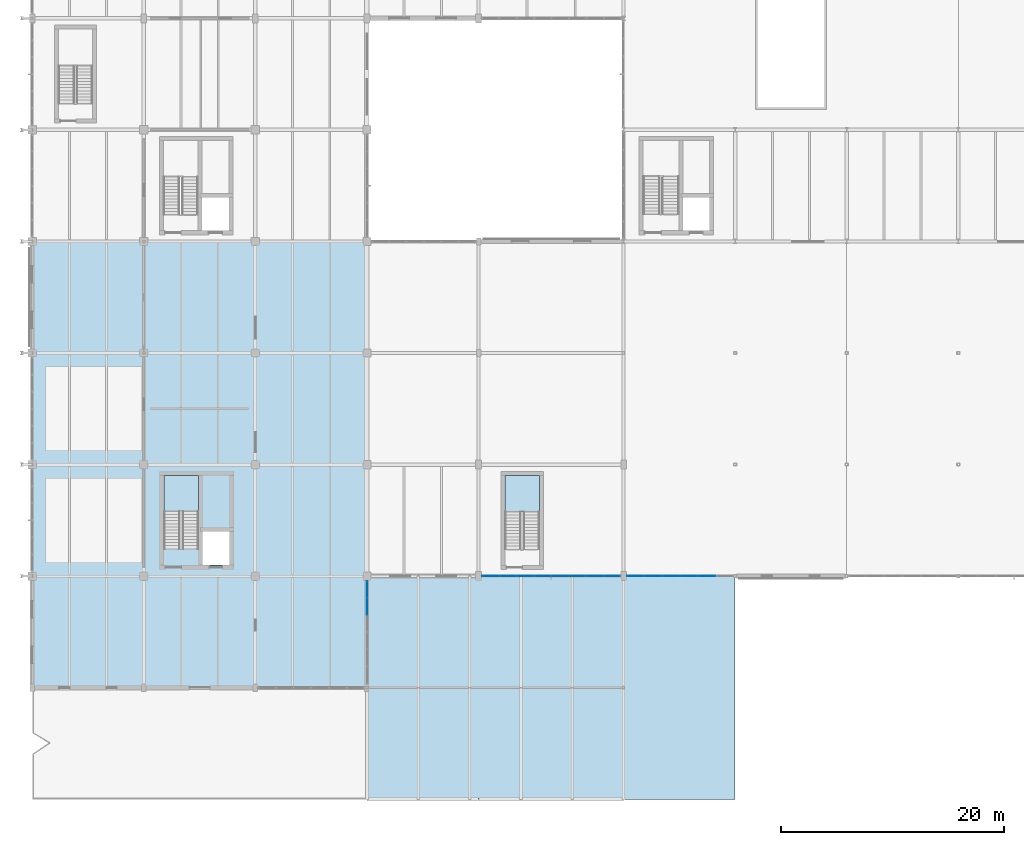
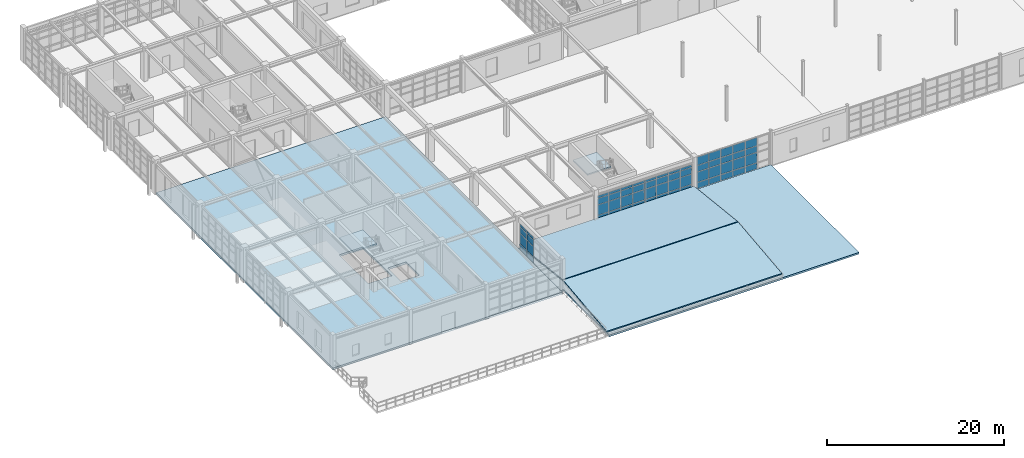
# One storey, part 83 of 139: 60 plates, 6 slabs, 5 elements without a shape of their own.
"""IFC4 building model written with IfcOpenShell, lengths in metres."""

from ifc_helpers import new_model, si_unit, direction, frame, origin, origin_2d, place, context, subcontext, project, spatial, polyline, rectangle, outline, extrude, material, layer, layer_set, type_object, element, aggregate, save


model = new_model("IFC4")

# Units and contexts
model_context = context("Model", 3, precision=1e-05, world=origin(), true_north=direction((0.0, 1.0)))
body_context = subcontext(model_context, "Body", "Model", "MODEL_VIEW")
ifc_project = project(units=[si_unit("LENGTHUNIT", "METRE"), si_unit("AREAUNIT", "SQUARE_METRE"), si_unit("VOLUMEUNIT", "CUBIC_METRE"), si_unit("PLANEANGLEUNIT", "RADIAN"), si_unit("MASSUNIT", "GRAM", prefix="KILO"), si_unit("THERMODYNAMICTEMPERATUREUNIT", "KELVIN"), si_unit("POWERUNIT", "WATT")], contexts=[model_context])

# Site, building, storey
site_placement = place(None, origin())
site = spatial("IfcSite", under=ifc_project, at=site_placement, CompositionType="ELEMENT")
building_placement = place(site_placement, origin())
building = spatial("IfcBuilding", under=site, at=building_placement, Name="Korenveer Ferry Terminal", CompositionType="ELEMENT")
storey_placement = place(building_placement, frame((0.0, 0.0, 5.39990234375)))
storey = spatial("IfcBuildingStorey", under=building, at=storey_placement, Name="L01", CompositionType="ELEMENT", Elevation=5.39990234375)

# Curtain wall, plates
ifc_material_1 = material(Name="Unitised bronze-and-glass curtain wall", Category="glass")
ifc_layer_1 = layer(ifc_material_1, 0.159912109375)
ifc_layer_set_1 = layer_set([ifc_layer_1], Name="Unitised bronze-and-glass curtain wall")
curtain_wall_type_1 = type_object("IfcCurtainWallType", Name="ENV-CW-38", PredefinedType="USERDEFINED", material=ifc_layer_set_1)
curtain_wall_1_placement = place(storey_placement, frame((40.280029296875, 20.0, 0.0)))
curtain_wall_1 = element("IfcCurtainWall", 1, at=curtain_wall_1_placement, inside=storey, type_object=curtain_wall_type_1, Name="Lancet curtain wall CWX-L01-X40-53-Y20-20", ObjectType="UNITISED CURTAIN WALL", PredefinedType="USERDEFINED")
ifc_material_2 = material(Name="Low-iron solar-control double glazing", Category="glass")
ifc_layer_2 = layer(ifc_material_2, 0.028076171875)
ifc_layer_set_2 = layer_set([ifc_layer_2], Name="Low-iron solar-control double glazing")
plate_type = type_object("IfcPlateType", Name="ENV-CWP-GLZ28", PredefinedType="CURTAIN_PANEL", material=ifc_layer_set_2)
plate_1_placement = place(storey_placement, frame((41.072509765625, 20.0, 0.06005859375), z_axis=(0.0, 0.0, 1.0), x_axis=(1.0, 0.0, 0.0)))
plate_1 = element("IfcPlate", 2, at=plate_1_placement, type_object=plate_type, Name="CW-38 panel 1.1", PredefinedType="CURTAIN_PANEL", context=body_context, shape_type="SweptSolid", body=[
    extrude(rectangle(XDim=1.465087890625, YDim=0.028076171875, at=origin_2d()), origin(), (0.0, 0.0, 1.0), 0.81005859375),
])
plate_2_placement = place(storey_placement, frame((41.072509765625, 20.0, 0.93017578125), z_axis=(0.0, 0.0, 1.0), x_axis=(1.0, 0.0, 0.0)))
plate_2 = element("IfcPlate", 3, at=plate_2_placement, type_object=plate_type, Name="CW-38 panel 1.2", PredefinedType="CURTAIN_PANEL", context=body_context, shape_type="SweptSolid", body=[
    extrude(rectangle(XDim=1.465087890625, YDim=0.028076171875, at=origin_2d()), origin(), (0.0, 0.0, 1.0), 1.389892578125),
])
plate_3_placement = place(storey_placement, frame((41.072509765625, 20.0, 2.3798828125), z_axis=(0.0, 0.0, 1.0), x_axis=(1.0, 0.0, 0.0)))
plate_3 = element("IfcPlate", 4, at=plate_3_placement, type_object=plate_type, Name="CW-38 panel 1.3", PredefinedType="CURTAIN_PANEL", context=body_context, shape_type="SweptSolid", body=[
    extrude(rectangle(XDim=1.465087890625, YDim=0.028076171875, at=origin_2d()), origin(), (0.0, 0.0, 1.0), 0.840087890625),
])
plate_4_placement = place(storey_placement, frame((41.072509765625, 20.0, 3.280029296875), z_axis=(0.0, 0.0, 1.0), x_axis=(1.0, 0.0, 0.0)))
plate_4 = element("IfcPlate", 5, at=plate_4_placement, type_object=plate_type, Name="CW-38 panel 1.4", PredefinedType="CURTAIN_PANEL", context=body_context, shape_type="SweptSolid", body=[
    extrude(rectangle(XDim=1.465087890625, YDim=0.028076171875, at=origin_2d()), origin(), (0.0, 0.0, 1.0), 0.330078125),
])
plate_5_placement = place(storey_placement, frame((42.612548828125, 20.0, 0.06005859375), z_axis=(0.0, 0.0, 1.0), x_axis=(1.0, 0.0, 0.0)))
plate_5 = element("IfcPlate", 6, at=plate_5_placement, type_object=plate_type, Name="CW-38 panel 2.1", PredefinedType="CURTAIN_PANEL", context=body_context, shape_type="SweptSolid", body=[
    extrude(rectangle(XDim=1.4951171875, YDim=0.028076171875, at=origin_2d()), origin(), (0.0, 0.0, 1.0), 0.81005859375),
])
plate_6_placement = place(storey_placement, frame((42.612548828125, 20.0, 0.93017578125), z_axis=(0.0, 0.0, 1.0), x_axis=(1.0, 0.0, 0.0)))
plate_6 = element("IfcPlate", 7, at=plate_6_placement, type_object=plate_type, Name="CW-38 panel 2.2", PredefinedType="CURTAIN_PANEL", context=body_context, shape_type="SweptSolid", body=[
    extrude(rectangle(XDim=1.4951171875, YDim=0.028076171875, at=origin_2d()), origin(), (0.0, 0.0, 1.0), 1.389892578125),
])
plate_7_placement = place(storey_placement, frame((42.612548828125, 20.0, 2.3798828125), z_axis=(0.0, 0.0, 1.0), x_axis=(1.0, 0.0, 0.0)))
plate_7 = element("IfcPlate", 8, at=plate_7_placement, type_object=plate_type, Name="CW-38 panel 2.3", PredefinedType="CURTAIN_PANEL", context=body_context, shape_type="SweptSolid", body=[
    extrude(rectangle(XDim=1.4951171875, YDim=0.028076171875, at=origin_2d()), origin(), (0.0, 0.0, 1.0), 0.840087890625),
])
plate_8_placement = place(storey_placement, frame((42.612548828125, 20.0, 3.280029296875), z_axis=(0.0, 0.0, 1.0), x_axis=(1.0, 0.0, 0.0)))
plate_8 = element("IfcPlate", 9, at=plate_8_placement, type_object=plate_type, Name="CW-38 panel 2.4", PredefinedType="CURTAIN_PANEL", context=body_context, shape_type="SweptSolid", body=[
    extrude(rectangle(XDim=1.4951171875, YDim=0.028076171875, at=origin_2d()), origin(), (0.0, 0.0, 1.0), 0.330078125),
])
plate_9_placement = place(storey_placement, frame((44.16748046875, 20.0, 0.06005859375), z_axis=(0.0, 0.0, 1.0), x_axis=(1.0, 0.0, 0.0)))
plate_9 = element("IfcPlate", 10, at=plate_9_placement, type_object=plate_type, Name="CW-38 panel 3.1", PredefinedType="CURTAIN_PANEL", context=body_context, shape_type="SweptSolid", body=[
    extrude(rectangle(XDim=1.4951171875, YDim=0.028076171875, at=origin_2d()), origin(), (0.0, 0.0, 1.0), 0.81005859375),
])
plate_10_placement = place(storey_placement, frame((44.16748046875, 20.0, 0.93017578125), z_axis=(0.0, 0.0, 1.0), x_axis=(1.0, 0.0, 0.0)))
plate_10 = element("IfcPlate", 11, at=plate_10_placement, type_object=plate_type, Name="CW-38 panel 3.2", PredefinedType="CURTAIN_PANEL", context=body_context, shape_type="SweptSolid", body=[
    extrude(rectangle(XDim=1.4951171875, YDim=0.028076171875, at=origin_2d()), origin(), (0.0, 0.0, 1.0), 1.389892578125),
])
plate_11_placement = place(storey_placement, frame((44.16748046875, 20.0, 2.3798828125), z_axis=(0.0, 0.0, 1.0), x_axis=(1.0, 0.0, 0.0)))
plate_11 = element("IfcPlate", 12, at=plate_11_placement, type_object=plate_type, Name="CW-38 panel 3.3", PredefinedType="CURTAIN_PANEL", context=body_context, shape_type="SweptSolid", body=[
    extrude(rectangle(XDim=1.4951171875, YDim=0.028076171875, at=origin_2d()), origin(), (0.0, 0.0, 1.0), 0.840087890625),
])
plate_12_placement = place(storey_placement, frame((44.16748046875, 20.0, 3.280029296875), z_axis=(0.0, 0.0, 1.0), x_axis=(1.0, 0.0, 0.0)))
plate_12 = element("IfcPlate", 13, at=plate_12_placement, type_object=plate_type, Name="CW-38 panel 3.4", PredefinedType="CURTAIN_PANEL", context=body_context, shape_type="SweptSolid", body=[
    extrude(rectangle(XDim=1.4951171875, YDim=0.028076171875, at=origin_2d()), origin(), (0.0, 0.0, 1.0), 0.330078125),
])
plate_13_placement = place(storey_placement, frame((45.722412109375, 20.0, 0.06005859375), z_axis=(0.0, 0.0, 1.0), x_axis=(1.0, 0.0, 0.0)))
plate_13 = element("IfcPlate", 14, at=plate_13_placement, type_object=plate_type, Name="CW-38 panel 4.1", PredefinedType="CURTAIN_PANEL", context=body_context, shape_type="SweptSolid", body=[
    extrude(rectangle(XDim=1.4951171875, YDim=0.028076171875, at=origin_2d()), origin(), (0.0, 0.0, 1.0), 0.81005859375),
])
plate_14_placement = place(storey_placement, frame((45.722412109375, 20.0, 0.93017578125), z_axis=(0.0, 0.0, 1.0), x_axis=(1.0, 0.0, 0.0)))
plate_14 = element("IfcPlate", 15, at=plate_14_placement, type_object=plate_type, Name="CW-38 panel 4.2", PredefinedType="CURTAIN_PANEL", context=body_context, shape_type="SweptSolid", body=[
    extrude(rectangle(XDim=1.4951171875, YDim=0.028076171875, at=origin_2d()), origin(), (0.0, 0.0, 1.0), 1.389892578125),
])
plate_15_placement = place(storey_placement, frame((45.722412109375, 20.0, 2.3798828125), z_axis=(0.0, 0.0, 1.0), x_axis=(1.0, 0.0, 0.0)))
plate_15 = element("IfcPlate", 16, at=plate_15_placement, type_object=plate_type, Name="CW-38 panel 4.3", PredefinedType="CURTAIN_PANEL", context=body_context, shape_type="SweptSolid", body=[
    extrude(rectangle(XDim=1.4951171875, YDim=0.028076171875, at=origin_2d()), origin(), (0.0, 0.0, 1.0), 0.840087890625),
])
plate_16_placement = place(storey_placement, frame((45.722412109375, 20.0, 3.280029296875), z_axis=(0.0, 0.0, 1.0), x_axis=(1.0, 0.0, 0.0)))
plate_16 = element("IfcPlate", 17, at=plate_16_placement, type_object=plate_type, Name="CW-38 panel 4.4", PredefinedType="CURTAIN_PANEL", context=body_context, shape_type="SweptSolid", body=[
    extrude(rectangle(XDim=1.4951171875, YDim=0.028076171875, at=origin_2d()), origin(), (0.0, 0.0, 1.0), 0.330078125),
])
plate_17_placement = place(storey_placement, frame((47.277587890625, 20.0, 0.06005859375), z_axis=(0.0, 0.0, 1.0), x_axis=(1.0, 0.0, 0.0)))
plate_17 = element("IfcPlate", 18, at=plate_17_placement, type_object=plate_type, Name="CW-38 panel 5.1", PredefinedType="CURTAIN_PANEL", context=body_context, shape_type="SweptSolid", body=[
    extrude(rectangle(XDim=1.4951171875, YDim=0.028076171875, at=origin_2d()), origin(), (0.0, 0.0, 1.0), 0.81005859375),
])
plate_18_placement = place(storey_placement, frame((47.277587890625, 20.0, 0.93017578125), z_axis=(0.0, 0.0, 1.0), x_axis=(1.0, 0.0, 0.0)))
plate_18 = element("IfcPlate", 19, at=plate_18_placement, type_object=plate_type, Name="CW-38 panel 5.2", PredefinedType="CURTAIN_PANEL", context=body_context, shape_type="SweptSolid", body=[
    extrude(rectangle(XDim=1.4951171875, YDim=0.028076171875, at=origin_2d()), origin(), (0.0, 0.0, 1.0), 1.389892578125),
])
plate_19_placement = place(storey_placement, frame((47.277587890625, 20.0, 2.3798828125), z_axis=(0.0, 0.0, 1.0), x_axis=(1.0, 0.0, 0.0)))
plate_19 = element("IfcPlate", 20, at=plate_19_placement, type_object=plate_type, Name="CW-38 panel 5.3", PredefinedType="CURTAIN_PANEL", context=body_context, shape_type="SweptSolid", body=[
    extrude(rectangle(XDim=1.4951171875, YDim=0.028076171875, at=origin_2d()), origin(), (0.0, 0.0, 1.0), 0.840087890625),
])
plate_20_placement = place(storey_placement, frame((47.277587890625, 20.0, 3.280029296875), z_axis=(0.0, 0.0, 1.0), x_axis=(1.0, 0.0, 0.0)))
plate_20 = element("IfcPlate", 21, at=plate_20_placement, type_object=plate_type, Name="CW-38 panel 5.4", PredefinedType="CURTAIN_PANEL", context=body_context, shape_type="SweptSolid", body=[
    extrude(rectangle(XDim=1.4951171875, YDim=0.028076171875, at=origin_2d()), origin(), (0.0, 0.0, 1.0), 0.330078125),
])
plate_21_placement = place(storey_placement, frame((48.83251953125, 20.0, 0.06005859375), z_axis=(0.0, 0.0, 1.0), x_axis=(1.0, 0.0, 0.0)))
plate_21 = element("IfcPlate", 22, at=plate_21_placement, type_object=plate_type, Name="CW-38 panel 6.1", PredefinedType="CURTAIN_PANEL", context=body_context, shape_type="SweptSolid", body=[
    extrude(rectangle(XDim=1.4951171875, YDim=0.028076171875, at=origin_2d()), origin(), (0.0, 0.0, 1.0), 0.81005859375),
])
plate_22_placement = place(storey_placement, frame((48.83251953125, 20.0, 0.93017578125), z_axis=(0.0, 0.0, 1.0), x_axis=(1.0, 0.0, 0.0)))
plate_22 = element("IfcPlate", 23, at=plate_22_placement, type_object=plate_type, Name="CW-38 panel 6.2", PredefinedType="CURTAIN_PANEL", context=body_context, shape_type="SweptSolid", body=[
    extrude(rectangle(XDim=1.4951171875, YDim=0.028076171875, at=origin_2d()), origin(), (0.0, 0.0, 1.0), 1.389892578125),
])
plate_23_placement = place(storey_placement, frame((48.83251953125, 20.0, 2.3798828125), z_axis=(0.0, 0.0, 1.0), x_axis=(1.0, 0.0, 0.0)))
plate_23 = element("IfcPlate", 24, at=plate_23_placement, type_object=plate_type, Name="CW-38 panel 6.3", PredefinedType="CURTAIN_PANEL", context=body_context, shape_type="SweptSolid", body=[
    extrude(rectangle(XDim=1.4951171875, YDim=0.028076171875, at=origin_2d()), origin(), (0.0, 0.0, 1.0), 0.840087890625),
])
plate_24_placement = place(storey_placement, frame((48.83251953125, 20.0, 3.280029296875), z_axis=(0.0, 0.0, 1.0), x_axis=(1.0, 0.0, 0.0)))
plate_24 = element("IfcPlate", 25, at=plate_24_placement, type_object=plate_type, Name="CW-38 panel 6.4", PredefinedType="CURTAIN_PANEL", context=body_context, shape_type="SweptSolid", body=[
    extrude(rectangle(XDim=1.4951171875, YDim=0.028076171875, at=origin_2d()), origin(), (0.0, 0.0, 1.0), 0.330078125),
])
plate_25_placement = place(storey_placement, frame((50.387451171875, 20.0, 0.06005859375), z_axis=(0.0, 0.0, 1.0), x_axis=(1.0, 0.0, 0.0)))
plate_25 = element("IfcPlate", 26, at=plate_25_placement, type_object=plate_type, Name="CW-38 panel 7.1", PredefinedType="CURTAIN_PANEL", context=body_context, shape_type="SweptSolid", body=[
    extrude(rectangle(XDim=1.4951171875, YDim=0.028076171875, at=origin_2d()), origin(), (0.0, 0.0, 1.0), 0.81005859375),
])
plate_26_placement = place(storey_placement, frame((50.387451171875, 20.0, 0.93017578125), z_axis=(0.0, 0.0, 1.0), x_axis=(1.0, 0.0, 0.0)))
plate_26 = element("IfcPlate", 27, at=plate_26_placement, type_object=plate_type, Name="CW-38 panel 7.2", PredefinedType="CURTAIN_PANEL", context=body_context, shape_type="SweptSolid", body=[
    extrude(rectangle(XDim=1.4951171875, YDim=0.028076171875, at=origin_2d()), origin(), (0.0, 0.0, 1.0), 1.389892578125),
])
plate_27_placement = place(storey_placement, frame((50.387451171875, 20.0, 2.3798828125), z_axis=(0.0, 0.0, 1.0), x_axis=(1.0, 0.0, 0.0)))
plate_27 = element("IfcPlate", 28, at=plate_27_placement, type_object=plate_type, Name="CW-38 panel 7.3", PredefinedType="CURTAIN_PANEL", context=body_context, shape_type="SweptSolid", body=[
    extrude(rectangle(XDim=1.4951171875, YDim=0.028076171875, at=origin_2d()), origin(), (0.0, 0.0, 1.0), 0.840087890625),
])
plate_28_placement = place(storey_placement, frame((50.387451171875, 20.0, 3.280029296875), z_axis=(0.0, 0.0, 1.0), x_axis=(1.0, 0.0, 0.0)))
plate_28 = element("IfcPlate", 29, at=plate_28_placement, type_object=plate_type, Name="CW-38 panel 7.4", PredefinedType="CURTAIN_PANEL", context=body_context, shape_type="SweptSolid", body=[
    extrude(rectangle(XDim=1.4951171875, YDim=0.028076171875, at=origin_2d()), origin(), (0.0, 0.0, 1.0), 0.330078125),
])
plate_29_placement = place(storey_placement, frame((51.927490234375, 20.0, 0.06005859375), z_axis=(0.0, 0.0, 1.0), x_axis=(1.0, 0.0, 0.0)))
plate_29 = element("IfcPlate", 30, at=plate_29_placement, type_object=plate_type, Name="CW-38 panel 8.1", PredefinedType="CURTAIN_PANEL", context=body_context, shape_type="SweptSolid", body=[
    extrude(rectangle(XDim=1.465087890625, YDim=0.028076171875, at=origin_2d()), origin(), (0.0, 0.0, 1.0), 0.81005859375),
])
plate_30_placement = place(storey_placement, frame((51.927490234375, 20.0, 0.93017578125), z_axis=(0.0, 0.0, 1.0), x_axis=(1.0, 0.0, 0.0)))
plate_30 = element("IfcPlate", 31, at=plate_30_placement, type_object=plate_type, Name="CW-38 panel 8.2", PredefinedType="CURTAIN_PANEL", context=body_context, shape_type="SweptSolid", body=[
    extrude(rectangle(XDim=1.465087890625, YDim=0.028076171875, at=origin_2d()), origin(), (0.0, 0.0, 1.0), 1.389892578125),
])
plate_31_placement = place(storey_placement, frame((51.927490234375, 20.0, 2.3798828125), z_axis=(0.0, 0.0, 1.0), x_axis=(1.0, 0.0, 0.0)))
plate_31 = element("IfcPlate", 32, at=plate_31_placement, type_object=plate_type, Name="CW-38 panel 8.3", PredefinedType="CURTAIN_PANEL", context=body_context, shape_type="SweptSolid", body=[
    extrude(rectangle(XDim=1.465087890625, YDim=0.028076171875, at=origin_2d()), origin(), (0.0, 0.0, 1.0), 0.840087890625),
])
plate_32_placement = place(storey_placement, frame((51.927490234375, 20.0, 3.280029296875), z_axis=(0.0, 0.0, 1.0), x_axis=(1.0, 0.0, 0.0)))
plate_32 = element("IfcPlate", 33, at=plate_32_placement, type_object=plate_type, Name="CW-38 panel 8.4", PredefinedType="CURTAIN_PANEL", context=body_context, shape_type="SweptSolid", body=[
    extrude(rectangle(XDim=1.465087890625, YDim=0.028076171875, at=origin_2d()), origin(), (0.0, 0.0, 1.0), 0.330078125),
])
aggregate(curtain_wall_1, [plate_1, plate_2, plate_3, plate_4, plate_5, plate_6, plate_7, plate_8, plate_9, plate_10, plate_11, plate_12, plate_13, plate_14, plate_15, plate_16, plate_17, plate_18, plate_19, plate_20, plate_21, plate_22, plate_23, plate_24, plate_25, plate_26, plate_27, plate_28, plate_29, plate_30, plate_31, plate_32])

ifc_layer_3 = layer(ifc_material_1, 0.159912109375)
ifc_layer_set_3 = layer_set([ifc_layer_3], Name="Unitised bronze-and-glass curtain wall")
curtain_wall_type_2 = type_object("IfcCurtainWallType", Name="ENV-CW-39", PredefinedType="USERDEFINED", material=ifc_layer_set_3)
curtain_wall_2_placement = place(storey_placement, frame((53.280029296875, 20.0, 0.0)))
curtain_wall_2 = element("IfcCurtainWall", 34, at=curtain_wall_2_placement, inside=storey, type_object=curtain_wall_type_2, Name="Lancet curtain wall CWX-L01-X53-63-Y20-20", ObjectType="UNITISED CURTAIN WALL", PredefinedType="USERDEFINED")
plate_33_placement = place(storey_placement, frame((54.092041015625, 20.0, 0.06005859375), z_axis=(0.0, 0.0, 1.0), x_axis=(1.0, 0.0, 0.0)))
plate_33 = element("IfcPlate", 35, at=plate_33_placement, type_object=plate_type, Name="CW-39 panel 1.1", PredefinedType="CURTAIN_PANEL", context=body_context, shape_type="SweptSolid", body=[
    extrude(rectangle(XDim=1.504150390625, YDim=0.028076171875, at=origin_2d()), origin(), (0.0, 0.0, 1.0), 0.81005859375),
])
plate_34_placement = place(storey_placement, frame((54.092041015625, 20.0, 0.93017578125), z_axis=(0.0, 0.0, 1.0), x_axis=(1.0, 0.0, 0.0)))
plate_34 = element("IfcPlate", 36, at=plate_34_placement, type_object=plate_type, Name="CW-39 panel 1.2", PredefinedType="CURTAIN_PANEL", context=body_context, shape_type="SweptSolid", body=[
    extrude(rectangle(XDim=1.504150390625, YDim=0.028076171875, at=origin_2d()), origin(), (0.0, 0.0, 1.0), 1.389892578125),
])
plate_35_placement = place(storey_placement, frame((54.092041015625, 20.0, 2.3798828125), z_axis=(0.0, 0.0, 1.0), x_axis=(1.0, 0.0, 0.0)))
plate_35 = element("IfcPlate", 37, at=plate_35_placement, type_object=plate_type, Name="CW-39 panel 1.3", PredefinedType="CURTAIN_PANEL", context=body_context, shape_type="SweptSolid", body=[
    extrude(rectangle(XDim=1.504150390625, YDim=0.028076171875, at=origin_2d()), origin(), (0.0, 0.0, 1.0), 0.840087890625),
])
plate_36_placement = place(storey_placement, frame((54.092041015625, 20.0, 3.280029296875), z_axis=(0.0, 0.0, 1.0), x_axis=(1.0, 0.0, 0.0)))
plate_36 = element("IfcPlate", 38, at=plate_36_placement, type_object=plate_type, Name="CW-39 panel 1.4", PredefinedType="CURTAIN_PANEL", context=body_context, shape_type="SweptSolid", body=[
    extrude(rectangle(XDim=1.504150390625, YDim=0.028076171875, at=origin_2d()), origin(), (0.0, 0.0, 1.0), 1.1201171875),
])
plate_37_placement = place(storey_placement, frame((55.671142578125, 20.0, 0.06005859375), z_axis=(0.0, 0.0, 1.0), x_axis=(1.0, 0.0, 0.0)))
plate_37 = element("IfcPlate", 39, at=plate_37_placement, type_object=plate_type, Name="CW-39 panel 2.1", PredefinedType="CURTAIN_PANEL", context=body_context, shape_type="SweptSolid", body=[
    extrude(rectangle(XDim=1.5341796875, YDim=0.028076171875, at=origin_2d()), origin(), (0.0, 0.0, 1.0), 0.81005859375),
])
plate_38_placement = place(storey_placement, frame((55.671142578125, 20.0, 0.93017578125), z_axis=(0.0, 0.0, 1.0), x_axis=(1.0, 0.0, 0.0)))
plate_38 = element("IfcPlate", 40, at=plate_38_placement, type_object=plate_type, Name="CW-39 panel 2.2", PredefinedType="CURTAIN_PANEL", context=body_context, shape_type="SweptSolid", body=[
    extrude(rectangle(XDim=1.5341796875, YDim=0.028076171875, at=origin_2d()), origin(), (0.0, 0.0, 1.0), 1.389892578125),
])
plate_39_placement = place(storey_placement, frame((55.671142578125, 20.0, 2.3798828125), z_axis=(0.0, 0.0, 1.0), x_axis=(1.0, 0.0, 0.0)))
plate_39 = element("IfcPlate", 41, at=plate_39_placement, type_object=plate_type, Name="CW-39 panel 2.3", PredefinedType="CURTAIN_PANEL", context=body_context, shape_type="SweptSolid", body=[
    extrude(rectangle(XDim=1.5341796875, YDim=0.028076171875, at=origin_2d()), origin(), (0.0, 0.0, 1.0), 0.840087890625),
])
plate_40_placement = place(storey_placement, frame((55.671142578125, 20.0, 3.280029296875), z_axis=(0.0, 0.0, 1.0), x_axis=(1.0, 0.0, 0.0)))
plate_40 = element("IfcPlate", 42, at=plate_40_placement, type_object=plate_type, Name="CW-39 panel 2.4", PredefinedType="CURTAIN_PANEL", context=body_context, shape_type="SweptSolid", body=[
    extrude(rectangle(XDim=1.5341796875, YDim=0.028076171875, at=origin_2d()), origin(), (0.0, 0.0, 1.0), 1.1201171875),
])
plate_41_placement = place(storey_placement, frame((57.265380859375, 20.0, 0.06005859375), z_axis=(0.0, 0.0, 1.0), x_axis=(1.0, 0.0, 0.0)))
plate_41 = element("IfcPlate", 43, at=plate_41_placement, type_object=plate_type, Name="CW-39 panel 3.1", PredefinedType="CURTAIN_PANEL", context=body_context, shape_type="SweptSolid", body=[
    extrude(rectangle(XDim=1.5341796875, YDim=0.028076171875, at=origin_2d()), origin(), (0.0, 0.0, 1.0), 0.81005859375),
])
plate_42_placement = place(storey_placement, frame((57.265380859375, 20.0, 0.93017578125), z_axis=(0.0, 0.0, 1.0), x_axis=(1.0, 0.0, 0.0)))
plate_42 = element("IfcPlate", 44, at=plate_42_placement, type_object=plate_type, Name="CW-39 panel 3.2", PredefinedType="CURTAIN_PANEL", context=body_context, shape_type="SweptSolid", body=[
    extrude(rectangle(XDim=1.5341796875, YDim=0.028076171875, at=origin_2d()), origin(), (0.0, 0.0, 1.0), 1.389892578125),
])
plate_43_placement = place(storey_placement, frame((57.265380859375, 20.0, 2.3798828125), z_axis=(0.0, 0.0, 1.0), x_axis=(1.0, 0.0, 0.0)))
plate_43 = element("IfcPlate", 45, at=plate_43_placement, type_object=plate_type, Name="CW-39 panel 3.3", PredefinedType="CURTAIN_PANEL", context=body_context, shape_type="SweptSolid", body=[
    extrude(rectangle(XDim=1.5341796875, YDim=0.028076171875, at=origin_2d()), origin(), (0.0, 0.0, 1.0), 0.840087890625),
])
plate_44_placement = place(storey_placement, frame((57.265380859375, 20.0, 3.280029296875), z_axis=(0.0, 0.0, 1.0), x_axis=(1.0, 0.0, 0.0)))
plate_44 = element("IfcPlate", 46, at=plate_44_placement, type_object=plate_type, Name="CW-39 panel 3.4", PredefinedType="CURTAIN_PANEL", context=body_context, shape_type="SweptSolid", body=[
    extrude(rectangle(XDim=1.5341796875, YDim=0.028076171875, at=origin_2d()), origin(), (0.0, 0.0, 1.0), 1.1201171875),
])
plate_45_placement = place(storey_placement, frame((58.859619140625, 20.0, 0.06005859375), z_axis=(0.0, 0.0, 1.0), x_axis=(1.0, 0.0, 0.0)))
plate_45 = element("IfcPlate", 47, at=plate_45_placement, type_object=plate_type, Name="CW-39 panel 4.1", PredefinedType="CURTAIN_PANEL", context=body_context, shape_type="SweptSolid", body=[
    extrude(rectangle(XDim=1.5341796875, YDim=0.028076171875, at=origin_2d()), origin(), (0.0, 0.0, 1.0), 0.81005859375),
])
plate_46_placement = place(storey_placement, frame((58.859619140625, 20.0, 0.93017578125), z_axis=(0.0, 0.0, 1.0), x_axis=(1.0, 0.0, 0.0)))
plate_46 = element("IfcPlate", 48, at=plate_46_placement, type_object=plate_type, Name="CW-39 panel 4.2", PredefinedType="CURTAIN_PANEL", context=body_context, shape_type="SweptSolid", body=[
    extrude(rectangle(XDim=1.5341796875, YDim=0.028076171875, at=origin_2d()), origin(), (0.0, 0.0, 1.0), 1.389892578125),
])
plate_47_placement = place(storey_placement, frame((58.859619140625, 20.0, 2.3798828125), z_axis=(0.0, 0.0, 1.0), x_axis=(1.0, 0.0, 0.0)))
plate_47 = element("IfcPlate", 49, at=plate_47_placement, type_object=plate_type, Name="CW-39 panel 4.3", PredefinedType="CURTAIN_PANEL", context=body_context, shape_type="SweptSolid", body=[
    extrude(rectangle(XDim=1.5341796875, YDim=0.028076171875, at=origin_2d()), origin(), (0.0, 0.0, 1.0), 0.840087890625),
])
plate_48_placement = place(storey_placement, frame((58.859619140625, 20.0, 3.280029296875), z_axis=(0.0, 0.0, 1.0), x_axis=(1.0, 0.0, 0.0)))
plate_48 = element("IfcPlate", 50, at=plate_48_placement, type_object=plate_type, Name="CW-39 panel 4.4", PredefinedType="CURTAIN_PANEL", context=body_context, shape_type="SweptSolid", body=[
    extrude(rectangle(XDim=1.5341796875, YDim=0.028076171875, at=origin_2d()), origin(), (0.0, 0.0, 1.0), 1.1201171875),
])
plate_49_placement = place(storey_placement, frame((60.453857421875, 20.0, 0.06005859375), z_axis=(0.0, 0.0, 1.0), x_axis=(1.0, 0.0, 0.0)))
plate_49 = element("IfcPlate", 51, at=plate_49_placement, type_object=plate_type, Name="CW-39 panel 5.1", PredefinedType="CURTAIN_PANEL", context=body_context, shape_type="SweptSolid", body=[
    extrude(rectangle(XDim=1.5341796875, YDim=0.028076171875, at=origin_2d()), origin(), (0.0, 0.0, 1.0), 0.81005859375),
])
plate_50_placement = place(storey_placement, frame((60.453857421875, 20.0, 0.93017578125), z_axis=(0.0, 0.0, 1.0), x_axis=(1.0, 0.0, 0.0)))
plate_50 = element("IfcPlate", 52, at=plate_50_placement, type_object=plate_type, Name="CW-39 panel 5.2", PredefinedType="CURTAIN_PANEL", context=body_context, shape_type="SweptSolid", body=[
    extrude(rectangle(XDim=1.5341796875, YDim=0.028076171875, at=origin_2d()), origin(), (0.0, 0.0, 1.0), 1.389892578125),
])
plate_51_placement = place(storey_placement, frame((60.453857421875, 20.0, 2.3798828125), z_axis=(0.0, 0.0, 1.0), x_axis=(1.0, 0.0, 0.0)))
plate_51 = element("IfcPlate", 53, at=plate_51_placement, type_object=plate_type, Name="CW-39 panel 5.3", PredefinedType="CURTAIN_PANEL", context=body_context, shape_type="SweptSolid", body=[
    extrude(rectangle(XDim=1.5341796875, YDim=0.028076171875, at=origin_2d()), origin(), (0.0, 0.0, 1.0), 0.840087890625),
])
plate_52_placement = place(storey_placement, frame((60.453857421875, 20.0, 3.280029296875), z_axis=(0.0, 0.0, 1.0), x_axis=(1.0, 0.0, 0.0)))
plate_52 = element("IfcPlate", 54, at=plate_52_placement, type_object=plate_type, Name="CW-39 panel 5.4", PredefinedType="CURTAIN_PANEL", context=body_context, shape_type="SweptSolid", body=[
    extrude(rectangle(XDim=1.5341796875, YDim=0.028076171875, at=origin_2d()), origin(), (0.0, 0.0, 1.0), 1.1201171875),
])
aggregate(curtain_wall_2, [plate_33, plate_34, plate_35, plate_36, plate_37, plate_38, plate_39, plate_40, plate_41, plate_42, plate_43, plate_44, plate_45, plate_46, plate_47, plate_48, plate_49, plate_50, plate_51, plate_52])

ifc_layer_4 = layer(ifc_material_1, 0.159912109375)
ifc_layer_set_4 = layer_set([ifc_layer_4], Name="Unitised bronze-and-glass curtain wall")
curtain_wall_type_3 = type_object("IfcCurtainWallType", Name="ENV-CW-62", PredefinedType="USERDEFINED", material=ifc_layer_set_4)
curtain_wall_3_placement = place(storey_placement, frame((30.0, 19.594970703125, 0.0)))
curtain_wall_3 = element("IfcCurtainWall", 55, at=curtain_wall_3_placement, inside=storey, type_object=curtain_wall_type_3, Name="Lancet curtain wall CWX-L01-X30-30-Y10-20", ObjectType="UNITISED CURTAIN WALL", PredefinedType="USERDEFINED")
plate_53_placement = place(storey_placement, frame((30.0, 18.81005859375, 0.06005859375), z_axis=(0.0, 0.0, 1.0), x_axis=(0.0, -1.0, 0.0)))
plate_53 = element("IfcPlate", 56, at=plate_53_placement, type_object=plate_type, Name="CW-62 panel 1.1", PredefinedType="CURTAIN_PANEL", context=body_context, shape_type="SweptSolid", body=[
    extrude(rectangle(XDim=1.449951171875, YDim=0.028076171875, at=origin_2d()), origin(), (0.0, 0.0, 1.0), 0.81005859375),
])
plate_54_placement = place(storey_placement, frame((30.0, 18.81005859375, 0.93017578125), z_axis=(0.0, 0.0, 1.0), x_axis=(0.0, -1.0, 0.0)))
plate_54 = element("IfcPlate", 57, at=plate_54_placement, type_object=plate_type, Name="CW-62 panel 1.2", PredefinedType="CURTAIN_PANEL", context=body_context, shape_type="SweptSolid", body=[
    extrude(rectangle(XDim=1.449951171875, YDim=0.028076171875, at=origin_2d()), origin(), (0.0, 0.0, 1.0), 1.389892578125),
])
plate_55_placement = place(storey_placement, frame((30.0, 18.81005859375, 2.3798828125), z_axis=(0.0, 0.0, 1.0), x_axis=(0.0, -1.0, 0.0)))
plate_55 = element("IfcPlate", 58, at=plate_55_placement, type_object=plate_type, Name="CW-62 panel 1.3", PredefinedType="CURTAIN_PANEL", context=body_context, shape_type="SweptSolid", body=[
    extrude(rectangle(XDim=1.449951171875, YDim=0.028076171875, at=origin_2d()), origin(), (0.0, 0.0, 1.0), 0.840087890625),
])
plate_56_placement = place(storey_placement, frame((30.0, 18.81005859375, 3.2802734375), z_axis=(0.0, 0.0, 1.0), x_axis=(0.0, -1.0, 0.0)))
plate_56 = element("IfcPlate", 59, at=plate_56_placement, type_object=plate_type, Name="CW-62 panel 1.4", PredefinedType="CURTAIN_PANEL", context=body_context, shape_type="SweptSolid", body=[
    extrude(rectangle(XDim=1.449951171875, YDim=0.028076171875, at=origin_2d()), origin(), (0.0, 0.0, 1.0), 0.360107421875),
])
plate_57_placement = place(storey_placement, frame((30.0, 17.284912109375, 0.06005859375), z_axis=(0.0, 0.0, 1.0), x_axis=(0.0, -1.0, 0.0)))
plate_57 = element("IfcPlate", 60, at=plate_57_placement, type_object=plate_type, Name="CW-62 panel 2.1", PredefinedType="CURTAIN_PANEL", context=body_context, shape_type="SweptSolid", body=[
    extrude(rectangle(XDim=1.47998046875, YDim=0.028076171875, at=origin_2d()), origin(), (0.0, 0.0, 1.0), 0.81005859375),
])
plate_58_placement = place(storey_placement, frame((30.0, 17.284912109375, 0.93017578125), z_axis=(0.0, 0.0, 1.0), x_axis=(0.0, -1.0, 0.0)))
plate_58 = element("IfcPlate", 61, at=plate_58_placement, type_object=plate_type, Name="CW-62 panel 2.2", PredefinedType="CURTAIN_PANEL", context=body_context, shape_type="SweptSolid", body=[
    extrude(rectangle(XDim=1.47998046875, YDim=0.028076171875, at=origin_2d()), origin(), (0.0, 0.0, 1.0), 1.389892578125),
])
plate_59_placement = place(storey_placement, frame((30.0, 17.284912109375, 2.3798828125), z_axis=(0.0, 0.0, 1.0), x_axis=(0.0, -1.0, 0.0)))
plate_59 = element("IfcPlate", 62, at=plate_59_placement, type_object=plate_type, Name="CW-62 panel 2.3", PredefinedType="CURTAIN_PANEL", context=body_context, shape_type="SweptSolid", body=[
    extrude(rectangle(XDim=1.47998046875, YDim=0.028076171875, at=origin_2d()), origin(), (0.0, 0.0, 1.0), 0.840087890625),
])
plate_60_placement = place(storey_placement, frame((30.0, 17.284912109375, 3.2802734375), z_axis=(0.0, 0.0, 1.0), x_axis=(0.0, -1.0, 0.0)))
plate_60 = element("IfcPlate", 63, at=plate_60_placement, type_object=plate_type, Name="CW-62 panel 2.4", PredefinedType="CURTAIN_PANEL", context=body_context, shape_type="SweptSolid", body=[
    extrude(rectangle(XDim=1.47998046875, YDim=0.028076171875, at=origin_2d()), origin(), (0.0, 0.0, 1.0), 0.360107421875),
])
aggregate(curtain_wall_3, [plate_53, plate_54, plate_55, plate_56, plate_57, plate_58, plate_59, plate_60])

# Stair, slab
ifc_material_3 = material(Name="Concrete C40/50", Category="concrete")
stair_type = type_object("IfcStairType", Name="INT-ST-02", PredefinedType="HALF_TURN_STAIR", material=ifc_material_3)
stair_1_placement = place(storey_placement, frame((14.175048828125, 22.449951171875, 0.0)))
stair_1 = element("IfcStair", 64, at=stair_1_placement, inside=storey, type_object=stair_type, Name="L01 West Firefighting Core K1", PredefinedType="HALF_TURN_STAIR")
ifc_layer_5 = layer(ifc_material_3, 0.199951171875)
ifc_layer_set_5 = layer_set([ifc_layer_5], Name="Concrete C40/50")
slab_type_1 = type_object("IfcSlabType", Name="INT-SL-LAND200", PredefinedType="LANDING", material=ifc_layer_set_5)
slab_1_placement = place(storey_placement, frame((0.0, 0.0, 2.2001953125)))
slab_1 = element("IfcSlab", 65, at=slab_1_placement, type_object=slab_type_1, Name="ST01 landing 1", PredefinedType="LANDING", context=body_context, shape_type="SweptSolid", body=[
    extrude(outline(polyline([(14.89990234375, 25.81005859375), (14.89990234375, 29.0), (11.800048828125, 29.0), (11.800048828125, 25.81005859375), (14.89990234375, 25.81005859375)])), origin(), (0.0, 0.0, 1.0), 0.199951171875),
])
aggregate(stair_1, [slab_1])

stair_2_placement = place(storey_placement, frame((44.735107421875, 22.409912109375, 0.0)))
stair_2 = element("IfcStair", 66, at=stair_2_placement, inside=storey, type_object=stair_type, Name="L01 Arrivals West Stair Core K9", PredefinedType="HALF_TURN_STAIR")
slab_2_placement = place(storey_placement, frame((0.0, 0.0, 2.2001953125)))
slab_2 = element("IfcSlab", 67, at=slab_2_placement, type_object=slab_type_1, Name="ST09 landing 1", PredefinedType="LANDING", context=body_context, shape_type="SweptSolid", body=[
    extrude(outline(polyline([(45.4599609375, 25.77001953125), (45.4599609375, 29.0400390625), (42.360107421875, 29.0400390625), (42.360107421875, 25.77001953125), (45.4599609375, 25.77001953125)])), origin(), (0.0, 0.0, 1.0), 0.199951171875),
])
aggregate(stair_2, [slab_2])

# Slabs
ifc_material_4 = material(Name="Concrete C35/45", Category="concrete")
ifc_layer_6 = layer(ifc_material_4, 0.280029296875)
ifc_layer_set_6 = layer_set([ifc_layer_6], Name="Concrete C35/45")
slab_type_2 = type_object("IfcSlabType", Name="STR-SL-FLR280", PredefinedType="FLOOR", material=ifc_layer_set_6)
slab_3_placement = place(storey_placement, frame((0.0, 0.0, -0.27978515625)))
element("IfcSlab", 68, at=slab_3_placement, inside=storey, type_object=slab_type_2, Name="Floor slab SL-L01-W1", PredefinedType="FLOOR", context=body_context, shape_type="SweptSolid", body=[
    extrude(outline(polyline([(0.0, 10.0), (30.0, 10.0), (30.0, 50.0), (0.0, 50.0), (0.0, 10.0)]), holes=[polyline([(14.89990234375, 22.449951171875), (14.89990234375, 29.0), (11.800048828125, 29.0), (11.800048828125, 22.449951171875), (14.89990234375, 22.449951171875)]), polyline([(15.260009765625, 21.0), (17.659912109375, 21.0), (17.659912109375, 24.0), (15.260009765625, 24.0), (15.260009765625, 21.0)])]), origin(), (0.0, 0.0, 1.0), 0.27978515625),
])
ifc_layer_7 = layer(ifc_material_4, 0.239990234375)
ifc_layer_set_7 = layer_set([ifc_layer_7], Name="Concrete C35/45")
slab_type_3 = type_object("IfcSlabType", Name="STR-SL-ROOF240", PredefinedType="ROOF", material=ifc_layer_set_7)
slab_4_placement = place(storey_placement, frame((0.0, 0.0, -0.239990234375)))
element("IfcSlab", 69, at=slab_4_placement, inside=storey, type_object=slab_type_3, Name="Forecourt entrance colonnade canopy SW", PredefinedType="ROOF", context=body_context, shape_type="SweptSolid", body=[
    extrude(outline(polyline([(30.35009765625, 0.0), (63.0, 0.0), (63.0, 20.0), (30.0, 20.0), (30.0, 10.35009765625), (30.35009765625, 10.35009765625), (30.35009765625, 0.0)])), origin(), (0.0, 0.0, 1.0), 0.239990234375),
])
ifc_layer_8 = layer(ifc_material_4, 0.159912109375)
ifc_layer_set_8 = layer_set([ifc_layer_8], Name="Concrete C35/45")
slab_type_4 = type_object("IfcSlabType", Name="STR-SL-WING160", PredefinedType="ROOF", material=ifc_layer_set_8)
for number, where, z_axis, x_axis, name in (
    (70, (30.050048828125, 0.050048828125, 0.590087890625), (0.0, -0.110442286578, 0.993882539003), (1.0, 0.0, 0.0), "Forecourt canopy pitched roof FCW 1"),
    (71, (30.050048828125, 10.050048828125, 1.690185546875), (0.0, 0.110442286578, 0.993882539003), (1.0, 0.0, 0.0), "Forecourt canopy pitched roof FCW 2"),
):
    element("IfcSlab", number, at=place(storey_placement, frame(where, z_axis=z_axis, x_axis=x_axis)), inside=storey, type_object=slab_type_4, Name=name, PredefinedType="ROOF", context=body_context, shape_type="SweptSolid", body=[
        extrude(outline(polyline([(0.0, 0.0), (22.89990234375, 0.0), (22.89990234375, 9.960837377905207), (0.0, 9.960837377905207), (0.0, 0.0)])), origin(), (0.0, 0.0, -1.0), 0.159912109375),
    ])

save(model, "model.ifc")
